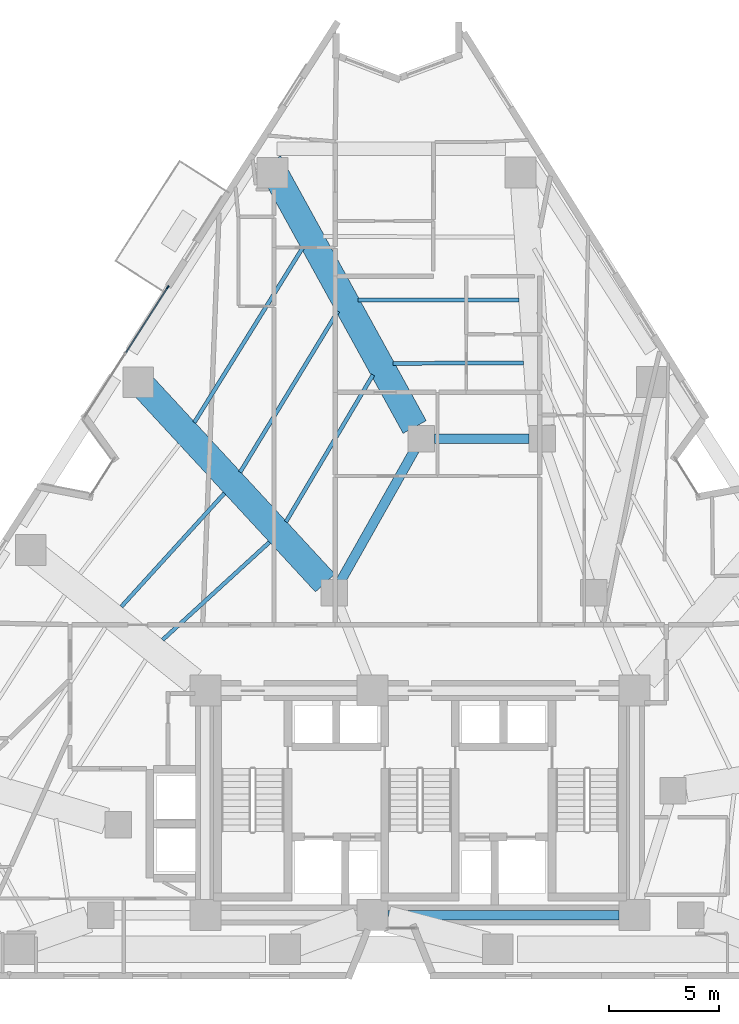
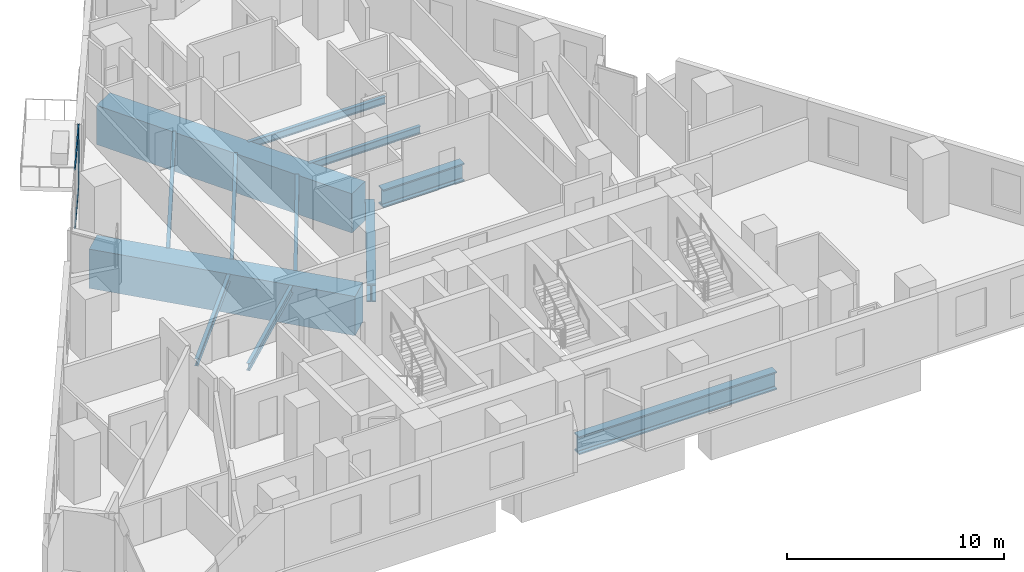
# One storey, part 3 of 13: 12 beams, 3 members, 1 element without a shape of its own.
"""IFC4 building model written with IfcOpenShell, lengths in metres."""

import ifcopenshell
import ifcopenshell.guid

model = None  # the IFC model being written
_history = None  # IfcOwnerHistory: only IFC2X3 demands one
_inside = {}  # id of a spatial element -> (the spatial element, [elements in it])
_under = {}  # id of a project, library or spatial element -> (it, [spatial elements below it])
_declared = {}  # id of a project -> (the project, [libraries it declares])
_typed = {}  # id of a type object -> (the type object, [elements of that type])
_made_of = {}  # id of a material, layer set ... -> (it, [elements and type objects made of it])


def new_model(schema):
    """Start an empty IFC model of exactly this schema.

    Asked for "IFC4X3", IfcOpenShell would pick the latest addendum, in which some entities
    have other attributes; the version numbers below select the first issue.
    IFC2X3 requires an IfcOwnerHistory on every rooted entity: one is made here for all.
    """
    global model, _history
    if schema == "IFC4X3":
        model = ifcopenshell.file(schema_version=(4, 3, 0, 0))
    else:
        model = ifcopenshell.file(schema=schema)
    _inside.clear()
    _under.clear()
    _declared.clear()
    _typed.clear()
    _made_of.clear()
    _history = None
    if model.schema == "IFC2X3":
        org = make("IfcOrganization", Name="unknown")
        user = make(
            "IfcPersonAndOrganization",
            ThePerson=make("IfcPerson", FamilyName="unknown"),
            TheOrganization=org,
        )
        app = make(
            "IfcApplication",
            ApplicationDeveloper=org,
            Version="unknown",
            ApplicationFullName="unknown",
            ApplicationIdentifier="unknown",
        )
        _history = make(
            "IfcOwnerHistory",
            OwningUser=user,
            OwningApplication=app,
            ChangeAction="ADDED",
            CreationDate=0,
        )
    return model


def make(cls, **values):
    """One entity of the class cls with the attributes given. An attribute that is None is left unset."""
    return model.create_entity(
        cls, **{name: value for name, value in values.items() if value is not None}
    )


def rooted(cls, **values):
    """An entity with a GlobalId (a new one), such as an element, a storey or a relation."""
    return make(cls, GlobalId=ifcopenshell.guid.new(), OwnerHistory=_history, **values)


def si_unit(unit_type, name, prefix=None):
    """IfcSIUnit, for example si_unit("LENGTHUNIT", "METRE", prefix="MILLI")."""
    return make("IfcSIUnit", UnitType=unit_type, Prefix=prefix, Name=name)


def assignment(units):
    """IfcUnitAssignment: the units of a project."""
    return None if units is None else make("IfcUnitAssignment", Units=units)


def point(xyz):
    """IfcCartesianPoint."""
    return None if xyz is None else make("IfcCartesianPoint", Coordinates=xyz)


def direction(xyz):
    """IfcDirection."""
    return None if xyz is None else make("IfcDirection", DirectionRatios=xyz)


def frame(location, z_axis=None, x_axis=None):
    """IfcAxis2Placement3D, a coordinate frame: its origin and axes. An axis left out is left unset."""
    return make(
        "IfcAxis2Placement3D",
        Location=point(location),
        Axis=direction(z_axis),
        RefDirection=direction(x_axis),
    )


def frame_2d(location, x_axis=None):
    """IfcAxis2Placement2D, a coordinate frame in the plane: its origin and x axis."""
    return make(
        "IfcAxis2Placement2D", Location=point(location), RefDirection=direction(x_axis)
    )


def origin():
    """The frame at (0, 0, 0) with its axes left unset."""
    return frame((0.0, 0.0, 0.0))


def origin_2d():
    """The frame at (0, 0) in the plane with its x axis left unset."""
    return frame_2d((0.0, 0.0))


def place(relative_to, where):
    """IfcLocalPlacement: puts the frame where relative to a parent placement (None: the world)."""
    return make(
        "IfcLocalPlacement", PlacementRelTo=relative_to, RelativePlacement=where
    )


def context(
    kind, dimensions, precision=None, world=None, true_north=None, identifier=None
):
    """IfcGeometricRepresentationContext, for example the 3D "Model" context."""
    return make(
        "IfcGeometricRepresentationContext",
        ContextIdentifier=identifier,
        ContextType=kind,
        CoordinateSpaceDimension=dimensions,
        Precision=precision,
        WorldCoordinateSystem=world,
        TrueNorth=true_north,
    )


def subcontext(parent, identifier, kind, view, scale=None):
    """IfcGeometricRepresentationSubContext, for example "Body" below "Model"."""
    return make(
        "IfcGeometricRepresentationSubContext",
        ContextIdentifier=identifier,
        ContextType=kind,
        ParentContext=parent,
        TargetScale=scale,
        TargetView=view,
    )


def project(units=None, contexts=None):
    """IfcProject with its units and contexts."""
    return rooted(
        "IfcProject",
        Name="project",
        RepresentationContexts=contexts,
        UnitsInContext=assignment(units),
    )


def spatial(cls, under=None, at=None, **own):
    """A site, building, storey or space (cls), placed at a placement, below another one or the project."""
    s = rooted(cls, ObjectPlacement=at, **own)
    if under is not None:
        _under.setdefault(under.id(), (under, []))[1].append(s)
    return s


def profile(cls, at=None, kind="AREA", **sizes):
    """A parametric profile (cls). Its sizes go by their IFC names, for example OverallWidth=200.0."""
    return make(cls, ProfileType=kind, Position=at, **sizes)


def rectangle(**sizes):
    """IfcRectangleProfileDef."""
    return profile("IfcRectangleProfileDef", **sizes)


def i_section(**sizes):
    """IfcIShapeProfileDef."""
    return profile("IfcIShapeProfileDef", **sizes)


def extrude(swept, where, along, depth):
    """IfcExtrudedAreaSolid: the profile swept, set in the frame where, extruded along a direction by depth."""
    return make(
        "IfcExtrudedAreaSolid",
        SweptArea=swept,
        Position=where,
        ExtrudedDirection=direction(along),
        Depth=depth,
    )


def shape(context_of_items, identifier, shape_type, items):
    """IfcShapeRepresentation: the items that make up one representation, for example the "Body"."""
    return make(
        "IfcShapeRepresentation",
        ContextOfItems=context_of_items,
        RepresentationIdentifier=identifier,
        RepresentationType=shape_type,
        Items=items,
    )


def material(Name=None, Category=None):
    """IfcMaterial."""
    return make("IfcMaterial", Name=Name, Category=Category)


def layer(
    of_material, thickness, ventilated=None, Name=None, Category=None, Priority=None
):
    """IfcMaterialLayer: one layer of a wall or slab, of a material (None: an air gap)."""
    return make(
        "IfcMaterialLayer",
        Material=of_material,
        LayerThickness=thickness,
        IsVentilated=ventilated,
        Name=Name,
        Category=Category,
        Priority=Priority,
    )


def layer_set(layers, Name=None):
    """IfcMaterialLayerSet."""
    return make("IfcMaterialLayerSet", MaterialLayers=layers, LayerSetName=Name)


def material_profile(
    of_material, cross_section, Name=None, Category=None, Priority=None
):
    """IfcMaterialProfile: a cross section and its material."""
    return make(
        "IfcMaterialProfile",
        Name=Name,
        Material=of_material,
        Profile=cross_section,
        Priority=Priority,
        Category=Category,
    )


def profile_set(profiles, Name=None, composite=None):
    """IfcMaterialProfileSet."""
    return make(
        "IfcMaterialProfileSet",
        Name=Name,
        MaterialProfiles=profiles,
        CompositeProfile=composite,
    )


def made_of(thing, what):
    """Note that an element or type object is made of a material, layer set ...; save() writes the relation."""
    if what is not None:
        _made_of.setdefault(what.id(), (what, []))[1].append(thing)
    return thing


def type_object(cls, material=None, **own):
    """A type object (cls), such as IfcWallType, which elements share."""
    return made_of(rooted(cls, **own), material)


def element(
    cls,
    number,
    at=None,
    inside=None,
    cuts=None,
    type_object=None,
    material=None,
    context=None,
    identifier="Body",
    shape_type=None,
    held_by="IfcProductDefinitionShape",
    body=None,
    shapes=None,
    **own,
):
    """One element of the class cls, such as IfcWall. Its Tag is "e" and its number.

    at: its placement. inside: the storey or other place that contains it. cuts: it is an
    opening in that element (IfcRelVoidsElement). A single representation is given by context,
    identifier, shape_type and body (its items); several are given by shapes. held_by: the class
    of the entity that holds the representations. save() writes the other relations.
    """
    e = rooted(cls, Tag="e%d" % number, ObjectPlacement=at, **own)
    if body is not None:
        shapes = [shape(context, identifier, shape_type, body)]
    if shapes is not None:
        e.Representation = make(held_by, Representations=shapes)
    if inside is not None:
        _inside.setdefault(inside.id(), (inside, []))[1].append(e)
    if cuts is not None:
        rooted(
            "IfcRelVoidsElement", RelatingBuildingElement=cuts, RelatedOpeningElement=e
        )
    if type_object is not None:
        _typed.setdefault(type_object.id(), (type_object, []))[1].append(e)
    return made_of(e, material)


def aggregate(whole, parts):
    """IfcRelAggregates: a whole, such as a stair, and the parts it consists of."""
    return rooted("IfcRelAggregates", RelatingObject=whole, RelatedObjects=parts)


def save(model, path):
    """Write the relations noted so far, then the file.

    IfcRelAggregates (storeys below a building ...), IfcRelContainedInSpatialStructure (elements
    in a storey), IfcRelDefinesByType, IfcRelAssociatesMaterial and IfcRelDeclares: one each for
    every whole, place, type object, material and project.
    """
    for whole, parts in _under.values():
        aggregate(whole, parts)
    for where, things in _inside.values():
        rooted(
            "IfcRelContainedInSpatialStructure",
            RelatedElements=things,
            RelatingStructure=where,
        )
    for kind, things in _typed.values():
        rooted("IfcRelDefinesByType", RelatedObjects=things, RelatingType=kind)
    for what, things in _made_of.values():
        rooted("IfcRelAssociatesMaterial", RelatedObjects=things, RelatingMaterial=what)
    for by, libraries in _declared.values():
        rooted("IfcRelDeclares", RelatingContext=by, RelatedDefinitions=libraries)
    model.write(path)


model = new_model("IFC4")

# Units and contexts
model_context = context("Model", 3, precision=1e-05, world=origin(), true_north=direction((0.0, 1.0)))
body_context = subcontext(model_context, "Body", "Model", "MODEL_VIEW")
ifc_project = project(units=[si_unit("LENGTHUNIT", "METRE"), si_unit("AREAUNIT", "SQUARE_METRE"), si_unit("VOLUMEUNIT", "CUBIC_METRE"), si_unit("PLANEANGLEUNIT", "RADIAN"), si_unit("MASSUNIT", "GRAM", prefix="KILO")], contexts=[model_context])

# Site, building, storey
site_placement = place(None, origin())
site = spatial("IfcSite", under=ifc_project, at=site_placement, CompositionType="ELEMENT")
building_placement = place(site_placement, origin())
building = spatial("IfcBuilding", under=site, at=building_placement, Name="Almagre Mirador Tower", CompositionType="ELEMENT")
storey_placement = place(building_placement, frame((0.0, 0.0, 53.39990234375)))
storey = spatial("IfcBuildingStorey", under=building, at=storey_placement, Name="L12", CompositionType="ELEMENT", Elevation=53.39990234375)

# Beams
ifc_material_1 = material(Name="Steel ASTM A992 Grade 50", Category="steel")
ifc_material_profile_1 = material_profile(ifc_material_1, i_section(OverallWidth=0.178955078125, OverallDepth=0.408935546875, WebThickness=0.0087890625, FlangeThickness=0.014404296875, FilletRadius=0.013916015625, at=origin_2d()), Name="W16X45")
ifc_profile_set_1 = profile_set([ifc_material_profile_1], Name="Steel ASTM A992 Grade 50")
beam_type_1 = type_object("IfcBeamType", Name="BM-JST-W16X45", PredefinedType="JOIST", material=ifc_profile_set_1)
beam_1_placement = place(storey_placement, frame((41.794921875, 32.499267578125, -0.454345703125), z_axis=(-0.999999944266, 0.000333867503, 0.0), x_axis=(-0.000333867503, -0.999999944266, 0.0)))
element("IfcBeam", 1, at=beam_1_placement, inside=storey, type_object=beam_type_1, Name="L12 secondary floor joist PC08-PC09.2", PredefinedType="JOIST", context=body_context, shape_type="SweptSolid", body=[
    extrude(i_section(OverallWidth=0.178955078125, OverallDepth=0.408935546875, WebThickness=0.0087890625, FlangeThickness=0.014404296875, FilletRadius=0.013916015625, at=origin_2d()), origin(), (0.0, 0.0, 1.0), 7.3125),
])
beam_2_placement = place(storey_placement, frame((42.000732421875, 29.645751953125, -0.454345703125), z_axis=(-0.99998799451, -0.004900085293, 0.0), x_axis=(0.004900085293, -0.99998799451, 0.0)))
element("IfcBeam", 2, at=beam_2_placement, inside=storey, type_object=beam_type_1, Name="L12 secondary floor joist PC08-PC09.3", PredefinedType="JOIST", context=body_context, shape_type="SweptSolid", body=[
    extrude(i_section(OverallWidth=0.178955078125, OverallDepth=0.408935546875, WebThickness=0.0087890625, FlangeThickness=0.014404296875, FilletRadius=0.013916015625, at=origin_2d()), origin(), (0.0, 0.0, 1.0), 5.928955078125),
])
beam_3_placement = place(storey_placement, frame((31.977294921875, 34.88037109375, -0.454345703125), z_axis=(-0.527015840809, -0.849855460379, 0.0), x_axis=(0.849855460379, -0.527015840809, 0.0)))
element("IfcBeam", 3, at=beam_3_placement, inside=storey, type_object=beam_type_1, Name="L12 secondary floor joist PC09-PC10.1", PredefinedType="JOIST", context=body_context, shape_type="SweptSolid", body=[
    extrude(i_section(OverallWidth=0.178955078125, OverallDepth=0.408935546875, WebThickness=0.0087890625, FlangeThickness=0.014404296875, FilletRadius=0.013916015625, at=origin_2d()), origin(), (0.0, 0.0, 1.0), 9.35302734375),
])
beam_4_placement = place(storey_placement, frame((33.5712890625, 31.989013671875, -0.454345703125), z_axis=(-0.518986323585, -0.854782543067, 0.0), x_axis=(0.854782543067, -0.518986323585, 0.0)))
element("IfcBeam", 4, at=beam_4_placement, inside=storey, type_object=beam_type_1, Name="L12 secondary floor joist PC09-PC10.2", PredefinedType="JOIST", context=body_context, shape_type="SweptSolid", body=[
    extrude(i_section(OverallWidth=0.178955078125, OverallDepth=0.408935546875, WebThickness=0.0087890625, FlangeThickness=0.014404296875, FilletRadius=0.013916015625, at=origin_2d()), origin(), (0.0, 0.0, 1.0), 8.557373046875),
])
beam_5_placement = place(storey_placement, frame((35.166015625, 29.097412109375, -0.454345703125), z_axis=(-0.509408355898, -0.860524913609, 0.0), x_axis=(0.860524913609, -0.509408355898, 0.0)))
element("IfcBeam", 5, at=beam_5_placement, inside=storey, type_object=beam_type_1, Name="L12 secondary floor joist PC09-PC10.3", PredefinedType="JOIST", context=body_context, shape_type="SweptSolid", body=[
    extrude(i_section(OverallWidth=0.178955078125, OverallDepth=0.408935546875, WebThickness=0.0087890625, FlangeThickness=0.014404296875, FilletRadius=0.013916015625, at=origin_2d()), origin(), (0.0, 0.0, 1.0), 7.7626953125),
])
beam_6_placement = place(storey_placement, frame((28.415283203125, 23.71728515625, -0.454345703125), z_axis=(-0.672599512203, -0.740006686581, 0.0), x_axis=(0.740006686581, -0.672599512203, 0.0)))
element("IfcBeam", 6, at=beam_6_placement, inside=storey, type_object=beam_type_1, Name="L12 secondary floor joist PC10-PC11.2", PredefinedType="JOIST", context=body_context, shape_type="SweptSolid", body=[
    extrude(i_section(OverallWidth=0.178955078125, OverallDepth=0.408935546875, WebThickness=0.0087890625, FlangeThickness=0.014404296875, FilletRadius=0.013916015625, at=origin_2d()), origin(), (0.0, 0.0, 1.0), 6.96484375),
])
beam_7_placement = place(storey_placement, frame((30.463134765625, 21.496337890625, -0.454345703125), z_axis=(-0.738073168203, -0.674720681748, 0.0), x_axis=(0.674720681748, -0.738073168203, 0.0)))
element("IfcBeam", 7, at=beam_7_placement, inside=storey, type_object=beam_type_1, Name="L12 secondary floor joist PC10-PC11.3", PredefinedType="JOIST", context=body_context, shape_type="SweptSolid", body=[
    extrude(i_section(OverallWidth=0.178955078125, OverallDepth=0.408935546875, WebThickness=0.0087890625, FlangeThickness=0.014404296875, FilletRadius=0.013916015625, at=origin_2d()), origin(), (0.0, 0.0, 1.0), 6.578125),
])
ifc_material_2 = material(Name="Steel ASTM A992 Grade 50", Category="steel")
ifc_material_profile_2 = material_profile(ifc_material_2, i_section(OverallWidth=0.43701171875, OverallDepth=1.010986328125, WebThickness=0.041015625, FlangeThickness=0.073974609375, FilletRadius=0.028076171875, at=origin_2d()), Name="W36X529")
ifc_profile_set_2 = profile_set([ifc_material_profile_2], Name="Steel ASTM A992 Grade 50")
beam_type_2 = type_object("IfcBeamType", Name="BM-STL-W36X529", PredefinedType="BEAM", material=ifc_profile_set_2)
beam_8_placement = place(storey_placement, frame((37.949951171875, 26.199951171875, -0.75537109375), z_axis=(1.0, 0.0, 0.0), x_axis=(0.0, 1.0, 0.0)))
element("IfcBeam", 8, at=beam_8_placement, inside=storey, type_object=beam_type_2, Name="L12 core tie girder MC7-MC6", PredefinedType="BEAM", context=body_context, shape_type="SweptSolid", body=[
    extrude(i_section(OverallWidth=0.43701171875, OverallDepth=1.010986328125, WebThickness=0.041015625, FlangeThickness=0.073974609375, FilletRadius=0.028076171875, at=origin_2d()), origin(), (0.0, 0.0, 1.0), 4.300048828125),
])
beam_9_placement = place(storey_placement, frame((35.85009765625, 4.550048828125, -0.75537109375), z_axis=(1.0, 0.0, 0.0), x_axis=(0.0, 1.0, 0.0)))
element("IfcBeam", 9, at=beam_9_placement, inside=storey, type_object=beam_type_2, Name="L12 core tie girder CC2-CC3", PredefinedType="BEAM", context=body_context, shape_type="SweptSolid", body=[
    extrude(i_section(OverallWidth=0.43701171875, OverallDepth=1.010986328125, WebThickness=0.041015625, FlangeThickness=0.073974609375, FilletRadius=0.028076171875, at=origin_2d()), origin(), (0.0, 0.0, 1.0), 10.5),
])
beam_10_placement = place(storey_placement, frame((37.05517578125, 25.677490234375, -0.75537109375), z_axis=(-0.491440637516, -0.870911074564, 0.0), x_axis=(0.870911074564, -0.491440637516, 0.0)))
element("IfcBeam", 10, at=beam_10_placement, inside=storey, type_object=beam_type_2, Name="L12 core tie girder MC7-MC8", PredefinedType="BEAM", context=body_context, shape_type="SweptSolid", body=[
    extrude(i_section(OverallWidth=0.43701171875, OverallDepth=1.010986328125, WebThickness=0.041015625, FlangeThickness=0.073974609375, FilletRadius=0.028076171875, at=origin_2d()), origin(), (0.0, 0.0, 1.0), 6.837646484375),
])
ifc_material_3 = material(Name="Concrete C60/75", Category="concrete")
ifc_material_profile_3 = material_profile(ifc_material_3, rectangle(XDim=1.199951171875, YDim=2.199951171875, at=origin_2d()), Name="RC1200X2200")
ifc_profile_set_3 = profile_set([ifc_material_profile_3], Name="Concrete C60/75")
beam_type_3 = type_object("IfcBeamType", Name="BM-XFER-RC1200X2200", PredefinedType="BEAM", material=ifc_profile_set_3)
beam_11_placement = place(storey_placement, frame((30.439453125, 38.759765625, -1.349853515625), z_axis=(0.482060666066, -0.876137839745, 0.0), x_axis=(0.876137839745, 0.482060666066, 0.0)))
element("IfcBeam", 11, at=beam_11_placement, inside=storey, type_object=beam_type_3, Name="L12 radial transfer girder PC09-MC7", PredefinedType="BEAM", context=body_context, shape_type="SweptSolid", body=[
    extrude(rectangle(XDim=1.199951171875, YDim=2.199951171875, at=origin_2d()), origin(), (0.0, 0.0, 1.0), 13.735595703125),
])
beam_12_placement = place(storey_placement, frame((24.296875, 29.05859375, -1.349853515625), z_axis=(0.678396377754, -0.734696096798, 0.0), x_axis=(0.734696096798, 0.678396377754, 0.0)))
element("IfcBeam", 12, at=beam_12_placement, inside=storey, type_object=beam_type_3, Name="L12 radial transfer girder PC10-MC8", PredefinedType="BEAM", context=body_context, shape_type="SweptSolid", body=[
    extrude(rectangle(XDim=1.199951171875, YDim=2.199951171875, at=origin_2d()), origin(), (0.0, 0.0, 1.0), 12.818603515625),
])

# Curtain wall, members
ifc_material_4 = material(Name="Black anodized aluminium", Category="aluminium")
ifc_layer = layer(ifc_material_4, 0.18994140625)
ifc_layer_set = layer_set([ifc_layer], Name="Black anodized aluminium")
curtain_wall_type = type_object("IfcCurtainWallType", Name="CW-RES-L-SYS", PredefinedType="NOTDEFINED", material=ifc_layer_set)
curtain_wall_placement = place(storey_placement, origin())
curtain_wall = element("IfcCurtainWall", 13, at=curtain_wall_placement, inside=storey, type_object=curtain_wall_type, Name="L12 curtain wall run 02", PredefinedType="NOTDEFINED")
ifc_material_5 = material(Name="Black anodized aluminium", Category="aluminium")
ifc_material_profile_4 = material_profile(ifc_material_5, rectangle(XDim=0.06494140625, YDim=0.179931640625, at=origin_2d()), Name="CWM65X180")
ifc_profile_set_4 = profile_set([ifc_material_profile_4], Name="Black anodized aluminium")
member_type_1 = type_object("IfcMemberType", Name="MBR-CWM65X180", PredefinedType="MULLION", material=ifc_profile_set_4)
member_1_placement = place(storey_placement, frame((25.8388671875, 33.073974609375, 0.0), z_axis=(0.0, 0.0, 1.0), x_axis=(-0.841976082788, 0.539514852449, 0.0)))
member_1 = element("IfcMember", 14, at=member_1_placement, type_object=member_type_1, Name="CW-2 mullion 3", PredefinedType="MULLION", context=body_context, shape_type="SweptSolid", body=[
    extrude(rectangle(XDim=0.06494140625, YDim=0.179931640625, at=origin_2d()), origin(), (0.0, 0.0, 1.0), 3.35009765625),
])
ifc_material_6 = material(Name="Black anodized aluminium", Category="aluminium")
ifc_material_profile_5 = material_profile(ifc_material_6, rectangle(XDim=0.06005859375, YDim=0.1298828125, at=origin_2d()), Name="CWT60X130")
ifc_profile_set_5 = profile_set([ifc_material_profile_5], Name="Black anodized aluminium")
member_type_2 = type_object("IfcMemberType", Name="MBR-CWT60X130", PredefinedType="USERDEFINED", material=ifc_profile_set_5)
member_2_placement = place(storey_placement, frame((23.945556640625, 30.119140625, 0.030029296875), z_axis=(0.539539778731, 0.841960110199, 0.0), x_axis=(-0.841960110199, 0.539539778731, 0.0)))
member_2 = element("IfcMember", 15, at=member_2_placement, type_object=member_type_2, Name="CW-2 transom 2.1", ObjectType="TRANSOM", PredefinedType="USERDEFINED", context=body_context, shape_type="SweptSolid", body=[
    extrude(rectangle(XDim=0.06005859375, YDim=0.1298828125, at=origin_2d()), origin(), (0.0, 0.0, 1.0), 3.47705078125),
])
member_3_placement = place(storey_placement, frame((23.945556640625, 30.119140625, 3.320068359375), z_axis=(0.539539778731, 0.841960110199, 0.0), x_axis=(-0.841960110199, 0.539539778731, 0.0)))
member_3 = element("IfcMember", 16, at=member_3_placement, type_object=member_type_2, Name="CW-2 transom 2.2", ObjectType="TRANSOM", PredefinedType="USERDEFINED", context=body_context, shape_type="SweptSolid", body=[
    extrude(rectangle(XDim=0.06005859375, YDim=0.1298828125, at=origin_2d()), origin(), (0.0, 0.0, 1.0), 3.47705078125),
])
aggregate(curtain_wall, [member_1, member_2, member_3])

save(model, "model.ifc")
